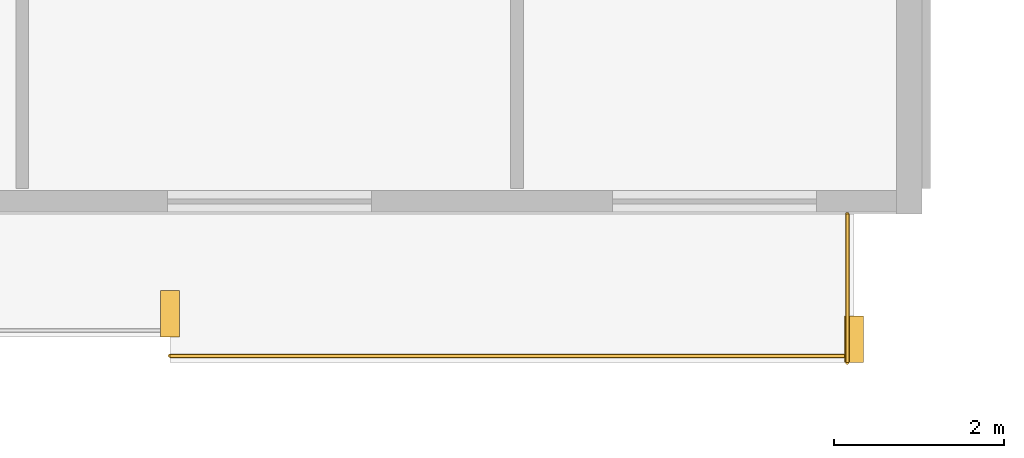
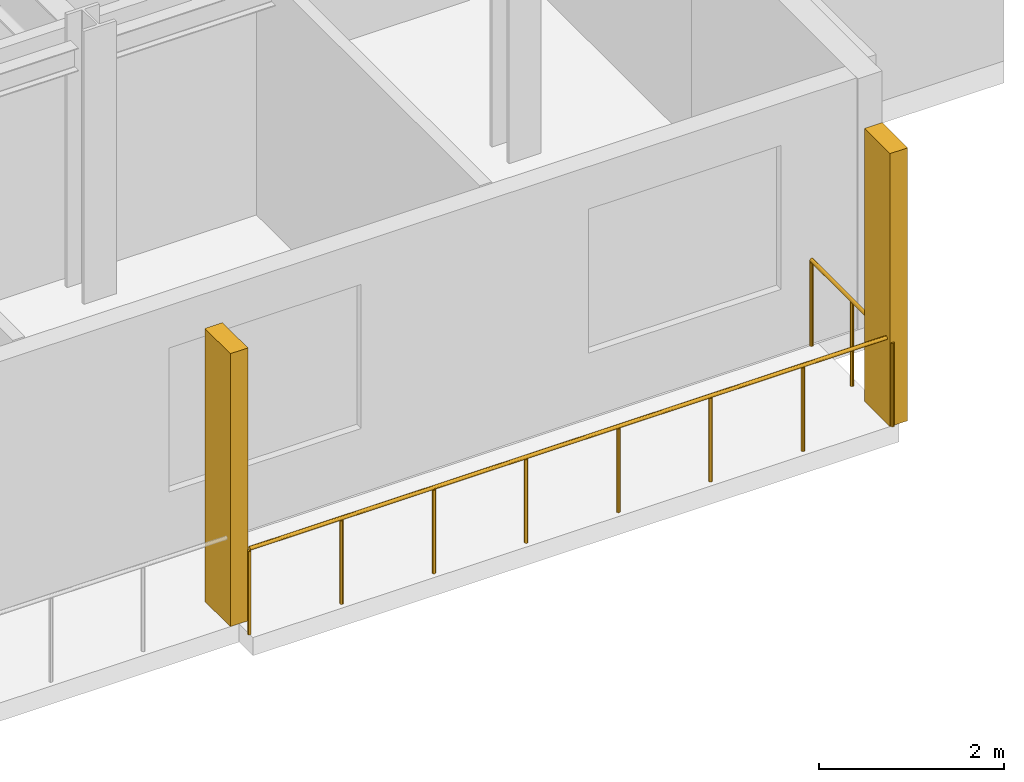
# One storey, part 34 of 36: 2 railings, 2 shading devices.
"""IFC4 building model written with IfcOpenShell, lengths in metres."""

from ifc_helpers import new_model, si_unit, direction, frame, origin, origin_2d, place, context, subcontext, project, spatial, rectangle, circle, extrude, material, type_object, element, save


model = new_model("IFC4")

# Units and contexts
model_context = context("Model", 3, precision=1e-05, world=origin(), true_north=direction((0.0, 1.0)))
body_context = subcontext(model_context, "Body", "Model", "MODEL_VIEW")
ifc_project = project(units=[si_unit("LENGTHUNIT", "METRE"), si_unit("AREAUNIT", "SQUARE_METRE"), si_unit("VOLUMEUNIT", "CUBIC_METRE"), si_unit("PLANEANGLEUNIT", "RADIAN"), si_unit("MASSUNIT", "GRAM", prefix="KILO")], contexts=[model_context])

# Site, building, storey
site_placement = place(None, origin())
site = spatial("IfcSite", under=ifc_project, at=site_placement, CompositionType="ELEMENT")
building_placement = place(site_placement, origin())
building = spatial("IfcBuilding", under=site, at=building_placement, Name="Korimba Cascade Residences", CompositionType="ELEMENT")
storey_placement = place(building_placement, frame((0.0, 0.0, 146.5)))
storey = spatial("IfcBuildingStorey", under=building, at=storey_placement, Name="L42", CompositionType="ELEMENT", Elevation=146.5)

# Railings
ifc_material_1 = material(Name="Laminated Glass and Bronze Balustrade", Category="glass")
railing_type = type_object("IfcRailingType", Name="RLG-LOG-1150", PredefinedType="BALUSTRADE", material=ifc_material_1)
railing_1_placement = place(storey_placement, frame((121.843017578125, -10.669921875, 0.0)))
element("IfcRailing", 1, at=railing_1_placement, inside=storey, type_object=railing_type, Name="L42 Perimeter Guardrail RLG-L42-T2-LOG-06", PredefinedType="BALUSTRADE", context=body_context, shape_type="SweptSolid", body=[
    extrude(circle(Radius=0.02392578125, at=origin_2d()), frame((0.0, 0.0, 1.1259765625), z_axis=(1.0, 0.0, 0.0), x_axis=(0.0, 1.0, 0.0)), (0.0, 0.0, 1.0), 8.056884765625),
    extrude(circle(Radius=0.02099609375, at=origin_2d()), origin(), (0.0, 0.0, 1.0), 1.101806640625),
    extrude(circle(Radius=0.02099609375, at=origin_2d()), frame((1.15087890625, 0.0, 0.0)), (0.0, 0.0, 1.0), 1.101806640625),
    extrude(circle(Radius=0.02099609375, at=origin_2d()), frame((2.302001953125, 0.0, 0.0)), (0.0, 0.0, 1.0), 1.101806640625),
    extrude(circle(Radius=0.02099609375, at=origin_2d()), frame((3.452880859375, 0.0, 0.0)), (0.0, 0.0, 1.0), 1.101806640625),
    extrude(circle(Radius=0.02099609375, at=origin_2d()), frame((4.60400390625, 0.0, 0.0)), (0.0, 0.0, 1.0), 1.101806640625),
    extrude(circle(Radius=0.02099609375, at=origin_2d()), frame((5.7548828125, 0.0, 0.0)), (0.0, 0.0, 1.0), 1.101806640625),
    extrude(circle(Radius=0.02099609375, at=origin_2d()), frame((6.906005859375, 0.0, 0.0)), (0.0, 0.0, 1.0), 1.101806640625),
    extrude(circle(Radius=0.02099609375, at=origin_2d()), frame((8.056884765625, 0.0, 0.0)), (0.0, 0.0, 1.0), 1.101806640625),
])
railing_2_placement = place(storey_placement, frame((129.820068359375, -10.75, 0.0)))
element("IfcRailing", 2, at=railing_2_placement, inside=storey, type_object=railing_type, Name="L42 Perimeter Guardrail RLG-L42-T2-LOG-07", PredefinedType="BALUSTRADE", context=body_context, shape_type="SweptSolid", body=[
    extrude(circle(Radius=0.02392578125, at=origin_2d()), frame((0.0, 0.0, 1.1259765625), z_axis=(0.0, 1.0, 0.0), x_axis=(-1.0, 0.0, 0.0)), (0.0, 0.0, 1.0), 1.75),
    extrude(circle(Radius=0.02099609375, at=origin_2d()), origin(), (0.0, 0.0, 1.0), 1.101806640625),
    extrude(circle(Radius=0.02099609375, at=origin_2d()), frame((0.0, 0.875, 0.0)), (0.0, 0.0, 1.0), 1.101806640625),
    extrude(circle(Radius=0.02099609375, at=origin_2d()), frame((0.0, 1.75, 0.0)), (0.0, 0.0, 1.0), 1.101806640625),
])

# Shading devices
ifc_material_2 = material(Name="Honed Sandstone Precast Fin", Category="masonry")
shading_device_type = type_object("IfcShadingDeviceType", Name="SHD-FIN-550", PredefinedType="USERDEFINED", material=ifc_material_2)
for number, where, z_axis, x_axis, name in (
    (3, (121.843017578125, -10.175048828125, 0.0), (0.0, 0.0, 1.0), (1.0, 0.0, 0.0), "L42 T2 Warm-Stone Loggia Fin 7"),
    (4, (129.89990234375, -10.47509765625, 0.0), (0.0, 0.0, 1.0), (1.0, 0.0, 0.0), "L42 T2 Warm-Stone Loggia Fin 8"),
):
    element("IfcShadingDevice", number, at=place(storey_placement, frame(where, z_axis=z_axis, x_axis=x_axis)), inside=storey, type_object=shading_device_type, Name=name, ObjectType="FIN", PredefinedType="USERDEFINED", context=body_context, shape_type="SweptSolid", body=[
        extrude(rectangle(XDim=0.219970703125, YDim=0.550048828125, at=origin_2d()), origin(), (0.0, 0.0, 1.0), 3.60009765625),
    ])

save(model, "model.ifc")
